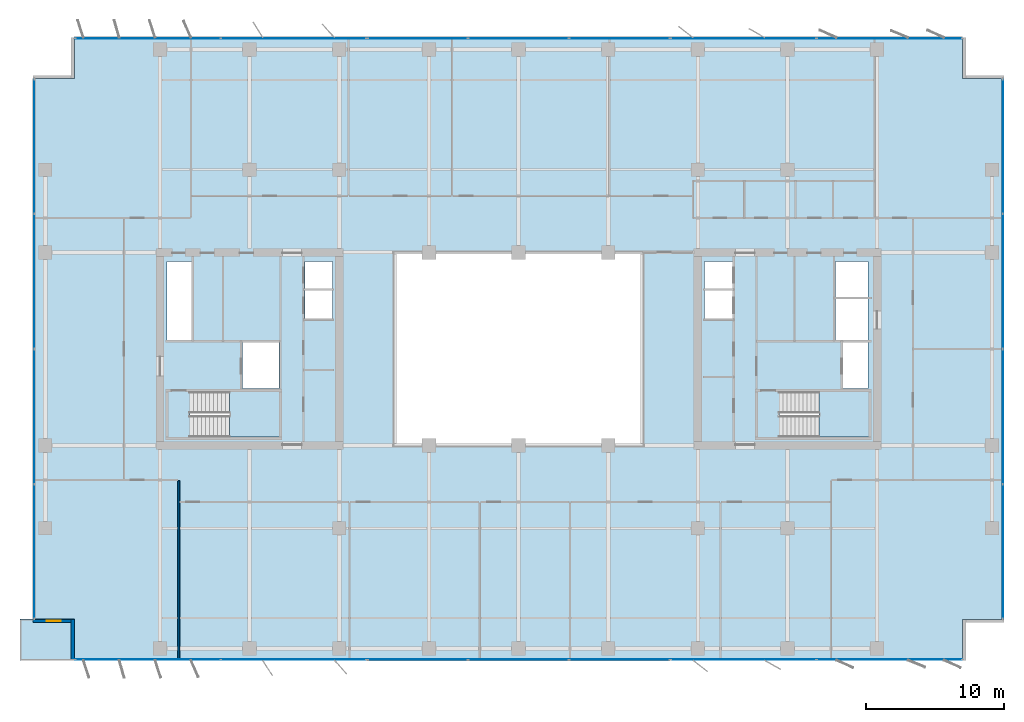
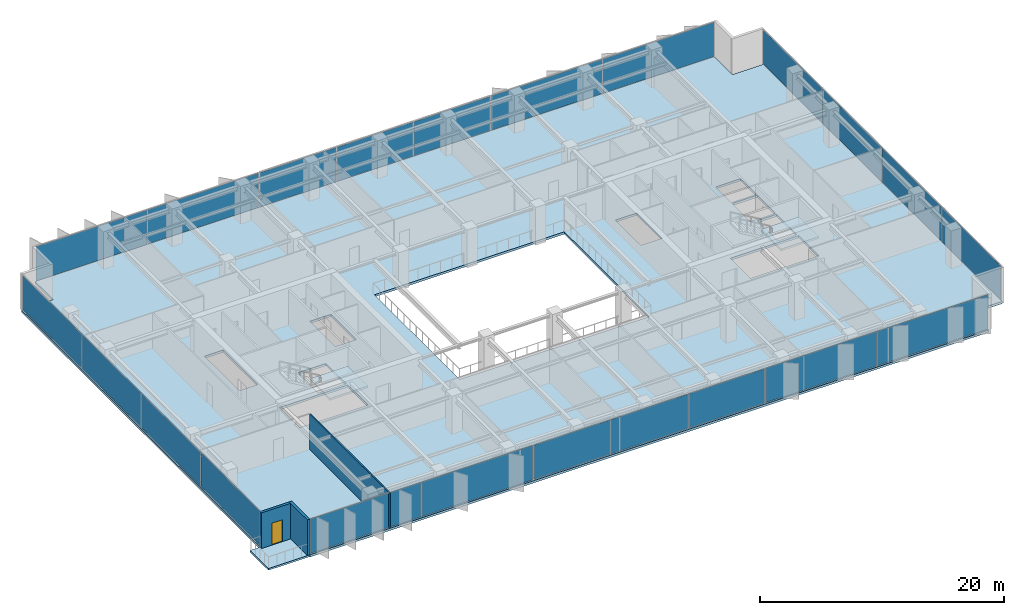
# One storey, part 14 of 22: 22 plates, 4 slabs, 3 walls, 1 door, 1 opening, 10 elements without a shape of their own.
"""IFC4 building model written with IfcOpenShell, lengths in metres."""

import ifcopenshell
import ifcopenshell.guid

model = None  # the IFC model being written
_history = None  # IfcOwnerHistory: only IFC2X3 demands one
_inside = {}  # id of a spatial element -> (the spatial element, [elements in it])
_under = {}  # id of a project, library or spatial element -> (it, [spatial elements below it])
_declared = {}  # id of a project -> (the project, [libraries it declares])
_typed = {}  # id of a type object -> (the type object, [elements of that type])
_made_of = {}  # id of a material, layer set ... -> (it, [elements and type objects made of it])


def new_model(schema):
    """Start an empty IFC model of exactly this schema.

    Asked for "IFC4X3", IfcOpenShell would pick the latest addendum, in which some entities
    have other attributes; the version numbers below select the first issue.
    IFC2X3 requires an IfcOwnerHistory on every rooted entity: one is made here for all.
    """
    global model, _history
    if schema == "IFC4X3":
        model = ifcopenshell.file(schema_version=(4, 3, 0, 0))
    else:
        model = ifcopenshell.file(schema=schema)
    _inside.clear()
    _under.clear()
    _declared.clear()
    _typed.clear()
    _made_of.clear()
    _history = None
    if model.schema == "IFC2X3":
        org = make("IfcOrganization", Name="unknown")
        user = make(
            "IfcPersonAndOrganization",
            ThePerson=make("IfcPerson", FamilyName="unknown"),
            TheOrganization=org,
        )
        app = make(
            "IfcApplication",
            ApplicationDeveloper=org,
            Version="unknown",
            ApplicationFullName="unknown",
            ApplicationIdentifier="unknown",
        )
        _history = make(
            "IfcOwnerHistory",
            OwningUser=user,
            OwningApplication=app,
            ChangeAction="ADDED",
            CreationDate=0,
        )
    return model


def make(cls, **values):
    """One entity of the class cls with the attributes given. An attribute that is None is left unset."""
    return model.create_entity(
        cls, **{name: value for name, value in values.items() if value is not None}
    )


def rooted(cls, **values):
    """An entity with a GlobalId (a new one), such as an element, a storey or a relation."""
    return make(cls, GlobalId=ifcopenshell.guid.new(), OwnerHistory=_history, **values)


def si_unit(unit_type, name, prefix=None):
    """IfcSIUnit, for example si_unit("LENGTHUNIT", "METRE", prefix="MILLI")."""
    return make("IfcSIUnit", UnitType=unit_type, Prefix=prefix, Name=name)


def assignment(units):
    """IfcUnitAssignment: the units of a project."""
    return None if units is None else make("IfcUnitAssignment", Units=units)


def point(xyz):
    """IfcCartesianPoint."""
    return None if xyz is None else make("IfcCartesianPoint", Coordinates=xyz)


def direction(xyz):
    """IfcDirection."""
    return None if xyz is None else make("IfcDirection", DirectionRatios=xyz)


def frame(location, z_axis=None, x_axis=None):
    """IfcAxis2Placement3D, a coordinate frame: its origin and axes. An axis left out is left unset."""
    return make(
        "IfcAxis2Placement3D",
        Location=point(location),
        Axis=direction(z_axis),
        RefDirection=direction(x_axis),
    )


def frame_2d(location, x_axis=None):
    """IfcAxis2Placement2D, a coordinate frame in the plane: its origin and x axis."""
    return make(
        "IfcAxis2Placement2D", Location=point(location), RefDirection=direction(x_axis)
    )


def origin():
    """The frame at (0, 0, 0) with its axes left unset."""
    return frame((0.0, 0.0, 0.0))


def origin_2d():
    """The frame at (0, 0) in the plane with its x axis left unset."""
    return frame_2d((0.0, 0.0))


def place(relative_to, where):
    """IfcLocalPlacement: puts the frame where relative to a parent placement (None: the world)."""
    return make(
        "IfcLocalPlacement", PlacementRelTo=relative_to, RelativePlacement=where
    )


def context(
    kind, dimensions, precision=None, world=None, true_north=None, identifier=None
):
    """IfcGeometricRepresentationContext, for example the 3D "Model" context."""
    return make(
        "IfcGeometricRepresentationContext",
        ContextIdentifier=identifier,
        ContextType=kind,
        CoordinateSpaceDimension=dimensions,
        Precision=precision,
        WorldCoordinateSystem=world,
        TrueNorth=true_north,
    )


def subcontext(parent, identifier, kind, view, scale=None):
    """IfcGeometricRepresentationSubContext, for example "Body" below "Model"."""
    return make(
        "IfcGeometricRepresentationSubContext",
        ContextIdentifier=identifier,
        ContextType=kind,
        ParentContext=parent,
        TargetScale=scale,
        TargetView=view,
    )


def project(units=None, contexts=None):
    """IfcProject with its units and contexts."""
    return rooted(
        "IfcProject",
        Name="project",
        RepresentationContexts=contexts,
        UnitsInContext=assignment(units),
    )


def spatial(cls, under=None, at=None, **own):
    """A site, building, storey or space (cls), placed at a placement, below another one or the project."""
    s = rooted(cls, ObjectPlacement=at, **own)
    if under is not None:
        _under.setdefault(under.id(), (under, []))[1].append(s)
    return s


def polyline(points):
    """IfcPolyline through the points."""
    return make("IfcPolyline", Points=[point(p) for p in points])


def profile(cls, at=None, kind="AREA", **sizes):
    """A parametric profile (cls). Its sizes go by their IFC names, for example OverallWidth=200.0."""
    return make(cls, ProfileType=kind, Position=at, **sizes)


def rectangle(**sizes):
    """IfcRectangleProfileDef."""
    return profile("IfcRectangleProfileDef", **sizes)


def outline(outer, holes=None, kind="AREA"):
    """IfcArbitraryClosedProfileDef: a profile drawn as a closed curve; with holes, ...WithVoids."""
    if holes is None:
        return make("IfcArbitraryClosedProfileDef", ProfileType=kind, OuterCurve=outer)
    return make(
        "IfcArbitraryProfileDefWithVoids",
        ProfileType=kind,
        OuterCurve=outer,
        InnerCurves=holes,
    )


def extrude(swept, where, along, depth):
    """IfcExtrudedAreaSolid: the profile swept, set in the frame where, extruded along a direction by depth."""
    return make(
        "IfcExtrudedAreaSolid",
        SweptArea=swept,
        Position=where,
        ExtrudedDirection=direction(along),
        Depth=depth,
    )


def shape(context_of_items, identifier, shape_type, items):
    """IfcShapeRepresentation: the items that make up one representation, for example the "Body"."""
    return make(
        "IfcShapeRepresentation",
        ContextOfItems=context_of_items,
        RepresentationIdentifier=identifier,
        RepresentationType=shape_type,
        Items=items,
    )


def material(Name=None, Category=None):
    """IfcMaterial."""
    return make("IfcMaterial", Name=Name, Category=Category)


def layer(
    of_material, thickness, ventilated=None, Name=None, Category=None, Priority=None
):
    """IfcMaterialLayer: one layer of a wall or slab, of a material (None: an air gap)."""
    return make(
        "IfcMaterialLayer",
        Material=of_material,
        LayerThickness=thickness,
        IsVentilated=ventilated,
        Name=Name,
        Category=Category,
        Priority=Priority,
    )


def layer_set(layers, Name=None):
    """IfcMaterialLayerSet."""
    return make("IfcMaterialLayerSet", MaterialLayers=layers, LayerSetName=Name)


def made_of(thing, what):
    """Note that an element or type object is made of a material, layer set ...; save() writes the relation."""
    if what is not None:
        _made_of.setdefault(what.id(), (what, []))[1].append(thing)
    return thing


def type_object(cls, material=None, **own):
    """A type object (cls), such as IfcWallType, which elements share."""
    return made_of(rooted(cls, **own), material)


def element(
    cls,
    number,
    at=None,
    inside=None,
    cuts=None,
    type_object=None,
    material=None,
    context=None,
    identifier="Body",
    shape_type=None,
    held_by="IfcProductDefinitionShape",
    body=None,
    shapes=None,
    **own,
):
    """One element of the class cls, such as IfcWall. Its Tag is "e" and its number.

    at: its placement. inside: the storey or other place that contains it. cuts: it is an
    opening in that element (IfcRelVoidsElement). A single representation is given by context,
    identifier, shape_type and body (its items); several are given by shapes. held_by: the class
    of the entity that holds the representations. save() writes the other relations.
    """
    e = rooted(cls, Tag="e%d" % number, ObjectPlacement=at, **own)
    if body is not None:
        shapes = [shape(context, identifier, shape_type, body)]
    if shapes is not None:
        e.Representation = make(held_by, Representations=shapes)
    if inside is not None:
        _inside.setdefault(inside.id(), (inside, []))[1].append(e)
    if cuts is not None:
        rooted(
            "IfcRelVoidsElement", RelatingBuildingElement=cuts, RelatedOpeningElement=e
        )
    if type_object is not None:
        _typed.setdefault(type_object.id(), (type_object, []))[1].append(e)
    return made_of(e, material)


def fill(opening, filler):
    """IfcRelFillsElement: the door or window that sits in an opening."""
    return rooted(
        "IfcRelFillsElement",
        RelatingOpeningElement=opening,
        RelatedBuildingElement=filler,
    )


def aggregate(whole, parts):
    """IfcRelAggregates: a whole, such as a stair, and the parts it consists of."""
    return rooted("IfcRelAggregates", RelatingObject=whole, RelatedObjects=parts)


def save(model, path):
    """Write the relations noted so far, then the file.

    IfcRelAggregates (storeys below a building ...), IfcRelContainedInSpatialStructure (elements
    in a storey), IfcRelDefinesByType, IfcRelAssociatesMaterial and IfcRelDeclares: one each for
    every whole, place, type object, material and project.
    """
    for whole, parts in _under.values():
        aggregate(whole, parts)
    for where, things in _inside.values():
        rooted(
            "IfcRelContainedInSpatialStructure",
            RelatedElements=things,
            RelatingStructure=where,
        )
    for kind, things in _typed.values():
        rooted("IfcRelDefinesByType", RelatedObjects=things, RelatingType=kind)
    for what, things in _made_of.values():
        rooted("IfcRelAssociatesMaterial", RelatedObjects=things, RelatingMaterial=what)
    for by, libraries in _declared.values():
        rooted("IfcRelDeclares", RelatingContext=by, RelatedDefinitions=libraries)
    model.write(path)


model = new_model("IFC4")

# Units and contexts
model_context = context("Model", 3, precision=1e-05, world=origin(), true_north=direction((0.0, 1.0)))
body_context = subcontext(model_context, "Body", "Model", "MODEL_VIEW")
ifc_project = project(units=[si_unit("LENGTHUNIT", "METRE"), si_unit("AREAUNIT", "SQUARE_METRE"), si_unit("VOLUMEUNIT", "CUBIC_METRE"), si_unit("PLANEANGLEUNIT", "RADIAN"), si_unit("MASSUNIT", "GRAM", prefix="KILO")], contexts=[model_context])

# Site, building, storey
site_placement = place(None, origin())
site = spatial("IfcSite", under=ifc_project, at=site_placement, CompositionType="ELEMENT")
building_placement = place(site_placement, origin())
building = spatial("IfcBuilding", under=site, at=building_placement, Name="Putna Gate Headquarters", CompositionType="ELEMENT")
storey_placement = place(building_placement, frame((0.0, 0.0, 167.0)))
storey = spatial("IfcBuildingStorey", under=building, at=storey_placement, Name="L41", CompositionType="ELEMENT", Elevation=167.0)

# Stair, slab
ifc_material_1 = material(Name="Concrete C40/50", Category="concrete")
stair_type_1 = type_object("IfcStairType", Name="STAIR-ST1", PredefinedType="HALF_TURN_STAIR", material=ifc_material_1)
stair_1_placement = place(storey_placement, origin())
stair_1 = element("IfcStair", 1, at=stair_1_placement, inside=storey, type_object=stair_type_1, Name="L41 West Core Exit Stair ST1", PredefinedType="HALF_TURN_STAIR")
ifc_layer_1 = layer(ifc_material_1, 0.199951171875)
ifc_layer_set_1 = layer_set([ifc_layer_1], Name="Concrete C40/50")
slab_type_1 = type_object("IfcSlabType", Name="LANDING-ST1", PredefinedType="LANDING", material=ifc_layer_set_1)
slab_1_placement = place(storey_placement, frame((0.0, 0.0, 1.699951171875)))
slab_1 = element("IfcSlab", 2, at=slab_1_placement, type_object=slab_type_1, Name="ST1 landing 1", PredefinedType="LANDING", context=body_context, shape_type="SweptSolid", body=[
    extrude(outline(polyline([(18.050048828125, 19.60009765625), (21.64990234375, 19.60009765625), (21.64990234375, 22.89990234375), (18.050048828125, 22.89990234375), (18.050048828125, 19.60009765625)])), origin(), (0.0, 0.0, 1.0), 0.199951171875),
])
aggregate(stair_1, [slab_1])

stair_type_2 = type_object("IfcStairType", Name="STAIR-ST2", PredefinedType="HALF_TURN_STAIR", material=ifc_material_1)
stair_2_placement = place(storey_placement, origin())
stair_2 = element("IfcStair", 3, at=stair_2_placement, inside=storey, type_object=stair_type_2, Name="L41 East Core Exit Stair ST2", PredefinedType="HALF_TURN_STAIR")
ifc_layer_2 = layer(ifc_material_1, 0.199951171875)
ifc_layer_set_2 = layer_set([ifc_layer_2], Name="Concrete C40/50")
slab_type_2 = type_object("IfcSlabType", Name="LANDING-ST2", PredefinedType="LANDING", material=ifc_layer_set_2)
slab_2_placement = place(storey_placement, frame((0.0, 0.0, 1.699951171875)))
slab_2 = element("IfcSlab", 4, at=slab_2_placement, type_object=slab_type_2, Name="ST2 landing 1", PredefinedType="LANDING", context=body_context, shape_type="SweptSolid", body=[
    extrude(outline(polyline([(60.800048828125, 19.60009765625), (64.39990234375, 19.60009765625), (64.39990234375, 22.89990234375), (60.800048828125, 22.89990234375), (60.800048828125, 19.60009765625)])), origin(), (0.0, 0.0, 1.0), 0.199951171875),
])
aggregate(stair_2, [slab_2])

# Curtain wall, plates
ifc_material_2 = material(Name="Anodised bronze aluminium curtain wall", Category="aluminium")
ifc_layer_3 = layer(ifc_material_2, 0.159912109375)
ifc_layer_set_3 = layer_set([ifc_layer_3], Name="Anodised bronze aluminium curtain wall")
curtain_wall_type_1 = type_object("IfcCurtainWallType", Name="CW-SYS-Z3", PredefinedType="USERDEFINED", material=ifc_layer_set_3)
curtain_wall_1_placement = place(storey_placement, origin())
curtain_wall_1 = element("IfcCurtainWall", 5, at=curtain_wall_1_placement, inside=storey, type_object=curtain_wall_type_1, Name="L41 South West Curtain Wall", ObjectType="STICK CURTAIN WALL", PredefinedType="USERDEFINED")
ifc_material_3 = material(Name="Solar-control triple low-E glass", Category="glass")
ifc_layer_4 = layer(ifc_material_3, 0.028076171875)
ifc_layer_set_4 = layer_set([ifc_layer_4], Name="Solar-control triple low-E glass")
plate_type_1 = type_object("IfcPlateType", Name="PAN-CWP-3", PredefinedType="CURTAIN_PANEL", material=ifc_layer_set_4)
plate_1_placement = place(storey_placement, frame((12.1162109375, 3.47998046875, 0.06005859375), z_axis=(0.0, 0.0, 1.0), x_axis=(1.0, 0.0, 0.0)))
plate_1 = element("IfcPlate", 6, at=plate_1_placement, type_object=plate_type_1, Name="CWS-3 panel 1.1", PredefinedType="CURTAIN_PANEL", context=body_context, shape_type="SweptSolid", body=[
    extrude(rectangle(XDim=10.50244140625, YDim=0.028076171875, at=origin_2d()), origin(), (0.0, 0.0, 1.0), 3.451904296875),
])
plate_2_placement = place(storey_placement, frame((22.683837890625, 3.47998046875, 0.06005859375), z_axis=(0.0, 0.0, 1.0), x_axis=(1.0, 0.0, 0.0)))
plate_2 = element("IfcPlate", 7, at=plate_2_placement, type_object=plate_type_1, Name="CWS-3 panel 2.1", PredefinedType="CURTAIN_PANEL", context=body_context, shape_type="SweptSolid", body=[
    extrude(rectangle(XDim=10.50244140625, YDim=0.028076171875, at=origin_2d()), origin(), (0.0, 0.0, 1.0), 3.451904296875),
])
aggregate(curtain_wall_1, [plate_1, plate_2])

curtain_wall_2_placement = place(storey_placement, origin())
curtain_wall_2 = element("IfcCurtainWall", 8, at=curtain_wall_2_placement, inside=storey, type_object=curtain_wall_type_1, Name="L41 South East Curtain Wall", ObjectType="STICK CURTAIN WALL", PredefinedType="USERDEFINED")
plate_3_placement = place(storey_placement, frame((55.316162109375, 3.47998046875, 0.06005859375), z_axis=(0.0, 0.0, 1.0), x_axis=(1.0, 0.0, 0.0)))
plate_3 = element("IfcPlate", 9, at=plate_3_placement, type_object=plate_type_1, Name="CWS-3 panel 1.1", PredefinedType="CURTAIN_PANEL", context=body_context, shape_type="SweptSolid", body=[
    extrude(rectangle(XDim=10.50244140625, YDim=0.028076171875, at=origin_2d()), origin(), (0.0, 0.0, 1.0), 3.451904296875),
])
plate_4_placement = place(storey_placement, frame((65.8837890625, 3.47998046875, 0.06005859375), z_axis=(0.0, 0.0, 1.0), x_axis=(1.0, 0.0, 0.0)))
plate_4 = element("IfcPlate", 10, at=plate_4_placement, type_object=plate_type_1, Name="CWS-3 panel 2.1", PredefinedType="CURTAIN_PANEL", context=body_context, shape_type="SweptSolid", body=[
    extrude(rectangle(XDim=10.50244140625, YDim=0.028076171875, at=origin_2d()), origin(), (0.0, 0.0, 1.0), 3.451904296875),
])
aggregate(curtain_wall_2, [plate_3, plate_4])

curtain_wall_3_placement = place(storey_placement, origin())
curtain_wall_3 = element("IfcCurtainWall", 11, at=curtain_wall_3_placement, inside=storey, type_object=curtain_wall_type_1, Name="L41 North West Curtain Wall", ObjectType="STICK CURTAIN WALL", PredefinedType="USERDEFINED")
plate_5_placement = place(storey_placement, frame((12.1162109375, 48.52001953125, 0.06005859375), z_axis=(0.0, 0.0, 1.0), x_axis=(1.0, 0.0, 0.0)))
plate_5 = element("IfcPlate", 12, at=plate_5_placement, type_object=plate_type_1, Name="CWS-3 panel 1.1", PredefinedType="CURTAIN_PANEL", context=body_context, shape_type="SweptSolid", body=[
    extrude(rectangle(XDim=10.50244140625, YDim=0.028076171875, at=origin_2d()), origin(), (0.0, 0.0, 1.0), 3.451904296875),
])
plate_6_placement = place(storey_placement, frame((22.683837890625, 48.52001953125, 0.06005859375), z_axis=(0.0, 0.0, 1.0), x_axis=(1.0, 0.0, 0.0)))
plate_6 = element("IfcPlate", 13, at=plate_6_placement, type_object=plate_type_1, Name="CWS-3 panel 2.1", PredefinedType="CURTAIN_PANEL", context=body_context, shape_type="SweptSolid", body=[
    extrude(rectangle(XDim=10.50244140625, YDim=0.028076171875, at=origin_2d()), origin(), (0.0, 0.0, 1.0), 3.451904296875),
])
aggregate(curtain_wall_3, [plate_5, plate_6])

curtain_wall_4_placement = place(storey_placement, origin())
curtain_wall_4 = element("IfcCurtainWall", 14, at=curtain_wall_4_placement, inside=storey, type_object=curtain_wall_type_1, Name="L41 North East Curtain Wall", ObjectType="STICK CURTAIN WALL", PredefinedType="USERDEFINED")
plate_7_placement = place(storey_placement, frame((55.316162109375, 48.52001953125, 0.06005859375), z_axis=(0.0, 0.0, 1.0), x_axis=(1.0, 0.0, 0.0)))
plate_7 = element("IfcPlate", 15, at=plate_7_placement, type_object=plate_type_1, Name="CWS-3 panel 1.1", PredefinedType="CURTAIN_PANEL", context=body_context, shape_type="SweptSolid", body=[
    extrude(rectangle(XDim=10.50244140625, YDim=0.028076171875, at=origin_2d()), origin(), (0.0, 0.0, 1.0), 3.451904296875),
])
plate_8_placement = place(storey_placement, frame((65.8837890625, 48.52001953125, 0.06005859375), z_axis=(0.0, 0.0, 1.0), x_axis=(1.0, 0.0, 0.0)))
plate_8 = element("IfcPlate", 16, at=plate_8_placement, type_object=plate_type_1, Name="CWS-3 panel 2.1", PredefinedType="CURTAIN_PANEL", context=body_context, shape_type="SweptSolid", body=[
    extrude(rectangle(XDim=10.50244140625, YDim=0.028076171875, at=origin_2d()), origin(), (0.0, 0.0, 1.0), 3.451904296875),
])
aggregate(curtain_wall_4, [plate_7, plate_8])

curtain_wall_5_placement = place(storey_placement, origin())
curtain_wall_5 = element("IfcCurtainWall", 17, at=curtain_wall_5_placement, inside=storey, type_object=curtain_wall_type_1, Name="L41 West Curtain Wall", ObjectType="STICK CURTAIN WALL", PredefinedType="USERDEFINED")
plate_9_placement = place(storey_placement, frame((3.8798828125, 11.316162109375, 0.06005859375), z_axis=(0.0, 0.0, 1.0), x_axis=(0.0, 1.0, 0.0)))
plate_9 = element("IfcPlate", 18, at=plate_9_placement, type_object=plate_type_1, Name="CWS-3 panel 1.1", PredefinedType="CURTAIN_PANEL", context=body_context, shape_type="SweptSolid", body=[
    extrude(rectangle(XDim=9.702392578125, YDim=0.028076171875, at=origin_2d()), origin(), (0.0, 0.0, 1.0), 3.451904296875),
])
plate_10_placement = place(storey_placement, frame((3.8798828125, 21.10009765625, 0.06005859375), z_axis=(0.0, 0.0, 1.0), x_axis=(0.0, 1.0, 0.0)))
plate_10 = element("IfcPlate", 19, at=plate_10_placement, type_object=plate_type_1, Name="CWS-3 panel 2.1", PredefinedType="CURTAIN_PANEL", context=body_context, shape_type="SweptSolid", body=[
    extrude(rectangle(XDim=9.735107421875, YDim=0.028076171875, at=origin_2d()), origin(), (0.0, 0.0, 1.0), 3.451904296875),
])
plate_11_placement = place(storey_placement, frame((3.8798828125, 30.89990234375, 0.06005859375), z_axis=(0.0, 0.0, 1.0), x_axis=(0.0, 1.0, 0.0)))
plate_11 = element("IfcPlate", 20, at=plate_11_placement, type_object=plate_type_1, Name="CWS-3 panel 3.1", PredefinedType="CURTAIN_PANEL", context=body_context, shape_type="SweptSolid", body=[
    extrude(rectangle(XDim=9.735107421875, YDim=0.028076171875, at=origin_2d()), origin(), (0.0, 0.0, 1.0), 3.451904296875),
])
plate_12_placement = place(storey_placement, frame((3.8798828125, 40.683837890625, 0.06005859375), z_axis=(0.0, 0.0, 1.0), x_axis=(0.0, 1.0, 0.0)))
plate_12 = element("IfcPlate", 21, at=plate_12_placement, type_object=plate_type_1, Name="CWS-3 panel 4.1", PredefinedType="CURTAIN_PANEL", context=body_context, shape_type="SweptSolid", body=[
    extrude(rectangle(XDim=9.702392578125, YDim=0.028076171875, at=origin_2d()), origin(), (0.0, 0.0, 1.0), 3.451904296875),
])
aggregate(curtain_wall_5, [plate_9, plate_10, plate_11, plate_12])

curtain_wall_6_placement = place(storey_placement, origin())
curtain_wall_6 = element("IfcCurtainWall", 22, at=curtain_wall_6_placement, inside=storey, type_object=curtain_wall_type_1, Name="L41 East Curtain Wall", ObjectType="STICK CURTAIN WALL", PredefinedType="USERDEFINED")
plate_13_placement = place(storey_placement, frame((74.1201171875, 11.316162109375, 0.06005859375), z_axis=(0.0, 0.0, 1.0), x_axis=(0.0, 1.0, 0.0)))
plate_13 = element("IfcPlate", 23, at=plate_13_placement, type_object=plate_type_1, Name="CWS-3 panel 1.1", PredefinedType="CURTAIN_PANEL", context=body_context, shape_type="SweptSolid", body=[
    extrude(rectangle(XDim=9.702392578125, YDim=0.028076171875, at=origin_2d()), origin(), (0.0, 0.0, 1.0), 3.451904296875),
])
plate_14_placement = place(storey_placement, frame((74.1201171875, 21.10009765625, 0.06005859375), z_axis=(0.0, 0.0, 1.0), x_axis=(0.0, 1.0, 0.0)))
plate_14 = element("IfcPlate", 24, at=plate_14_placement, type_object=plate_type_1, Name="CWS-3 panel 2.1", PredefinedType="CURTAIN_PANEL", context=body_context, shape_type="SweptSolid", body=[
    extrude(rectangle(XDim=9.735107421875, YDim=0.028076171875, at=origin_2d()), origin(), (0.0, 0.0, 1.0), 3.451904296875),
])
plate_15_placement = place(storey_placement, frame((74.1201171875, 30.89990234375, 0.06005859375), z_axis=(0.0, 0.0, 1.0), x_axis=(0.0, 1.0, 0.0)))
plate_15 = element("IfcPlate", 25, at=plate_15_placement, type_object=plate_type_1, Name="CWS-3 panel 3.1", PredefinedType="CURTAIN_PANEL", context=body_context, shape_type="SweptSolid", body=[
    extrude(rectangle(XDim=9.735107421875, YDim=0.028076171875, at=origin_2d()), origin(), (0.0, 0.0, 1.0), 3.451904296875),
])
plate_16_placement = place(storey_placement, frame((74.1201171875, 40.683837890625, 0.06005859375), z_axis=(0.0, 0.0, 1.0), x_axis=(0.0, 1.0, 0.0)))
plate_16 = element("IfcPlate", 26, at=plate_16_placement, type_object=plate_type_1, Name="CWS-3 panel 4.1", PredefinedType="CURTAIN_PANEL", context=body_context, shape_type="SweptSolid", body=[
    extrude(rectangle(XDim=9.702392578125, YDim=0.028076171875, at=origin_2d()), origin(), (0.0, 0.0, 1.0), 3.451904296875),
])
aggregate(curtain_wall_6, [plate_13, plate_14, plate_15, plate_16])

ifc_layer_5 = layer(ifc_material_2, 0.179931640625)
ifc_layer_set_5 = layer_set([ifc_layer_5], Name="Anodised bronze aluminium curtain wall")
curtain_wall_type_2 = type_object("IfcCurtainWallType", Name="CW-SYS-ATR", PredefinedType="USERDEFINED", material=ifc_layer_set_5)
curtain_wall_7_placement = place(storey_placement, origin())
curtain_wall_7 = element("IfcCurtainWall", 27, at=curtain_wall_7_placement, inside=storey, type_object=curtain_wall_type_2, Name="L41 South Atrium Clear Glazing", ObjectType="ATRIUM GLAZING", PredefinedType="USERDEFINED")
ifc_material_4 = material(Name="Clear low-iron triple glazing", Category="glass")
ifc_layer_6 = layer(ifc_material_4, 0.0400390625)
ifc_layer_set_6 = layer_set([ifc_layer_6], Name="Clear low-iron triple glazing")
plate_type_2 = type_object("IfcPlateType", Name="PAN-CWP-AT", PredefinedType="CURTAIN_PANEL", material=ifc_layer_set_6)
plate_17_placement = place(storey_placement, frame((31.68408203125, 3.47998046875, 0.06982421875), z_axis=(0.0, 0.0, 1.0), x_axis=(1.0, 0.0, 0.0)))
plate_17 = element("IfcPlate", 28, at=plate_17_placement, type_object=plate_type_2, Name="CWS-AT panel 1.1", PredefinedType="CURTAIN_PANEL", context=body_context, shape_type="SweptSolid", body=[
    extrude(rectangle(XDim=7.228271484375, YDim=0.0400390625, at=origin_2d()), origin(), (0.0, 0.0, 1.0), 3.431884765625),
])
plate_18_placement = place(storey_placement, frame((39.0, 3.47998046875, 0.06982421875), z_axis=(0.0, 0.0, 1.0), x_axis=(1.0, 0.0, 0.0)))
plate_18 = element("IfcPlate", 29, at=plate_18_placement, type_object=plate_type_2, Name="CWS-AT panel 2.1", PredefinedType="CURTAIN_PANEL", context=body_context, shape_type="SweptSolid", body=[
    extrude(rectangle(XDim=7.263427734375, YDim=0.0400390625, at=origin_2d()), origin(), (0.0, 0.0, 1.0), 3.431884765625),
])
plate_19_placement = place(storey_placement, frame((46.31591796875, 3.47998046875, 0.06982421875), z_axis=(0.0, 0.0, 1.0), x_axis=(1.0, 0.0, 0.0)))
plate_19 = element("IfcPlate", 30, at=plate_19_placement, type_object=plate_type_2, Name="CWS-AT panel 3.1", PredefinedType="CURTAIN_PANEL", context=body_context, shape_type="SweptSolid", body=[
    extrude(rectangle(XDim=7.228271484375, YDim=0.0400390625, at=origin_2d()), origin(), (0.0, 0.0, 1.0), 3.431884765625),
])
aggregate(curtain_wall_7, [plate_17, plate_18, plate_19])

curtain_wall_8_placement = place(storey_placement, origin())
curtain_wall_8 = element("IfcCurtainWall", 31, at=curtain_wall_8_placement, inside=storey, type_object=curtain_wall_type_2, Name="L41 North Atrium Clear Glazing", ObjectType="ATRIUM GLAZING", PredefinedType="USERDEFINED")
plate_20_placement = place(storey_placement, frame((31.68408203125, 48.52001953125, 0.06982421875), z_axis=(0.0, 0.0, 1.0), x_axis=(1.0, 0.0, 0.0)))
plate_20 = element("IfcPlate", 32, at=plate_20_placement, type_object=plate_type_2, Name="CWS-AT panel 1.1", PredefinedType="CURTAIN_PANEL", context=body_context, shape_type="SweptSolid", body=[
    extrude(rectangle(XDim=7.228271484375, YDim=0.0400390625, at=origin_2d()), origin(), (0.0, 0.0, 1.0), 3.431884765625),
])
plate_21_placement = place(storey_placement, frame((39.0, 48.52001953125, 0.06982421875), z_axis=(0.0, 0.0, 1.0), x_axis=(1.0, 0.0, 0.0)))
plate_21 = element("IfcPlate", 33, at=plate_21_placement, type_object=plate_type_2, Name="CWS-AT panel 2.1", PredefinedType="CURTAIN_PANEL", context=body_context, shape_type="SweptSolid", body=[
    extrude(rectangle(XDim=7.263427734375, YDim=0.0400390625, at=origin_2d()), origin(), (0.0, 0.0, 1.0), 3.431884765625),
])
plate_22_placement = place(storey_placement, frame((46.31591796875, 48.52001953125, 0.06982421875), z_axis=(0.0, 0.0, 1.0), x_axis=(1.0, 0.0, 0.0)))
plate_22 = element("IfcPlate", 34, at=plate_22_placement, type_object=plate_type_2, Name="CWS-AT panel 3.1", PredefinedType="CURTAIN_PANEL", context=body_context, shape_type="SweptSolid", body=[
    extrude(rectangle(XDim=7.228271484375, YDim=0.0400390625, at=origin_2d()), origin(), (0.0, 0.0, 1.0), 3.431884765625),
])
aggregate(curtain_wall_8, [plate_20, plate_21, plate_22])

# Slabs
ifc_layer_7 = layer(ifc_material_1, 0.179931640625)
ifc_layer_set_7 = layer_set([ifc_layer_7], Name="Concrete C40/50")
slab_type_3 = type_object("IfcSlabType", Name="SLAB-TERRACE-180", PredefinedType="FLOOR", material=ifc_layer_set_7)
slab_3_placement = place(storey_placement, frame((0.0, 0.0, -0.179931640625)))
element("IfcSlab", 35, at=slab_3_placement, inside=storey, type_object=slab_type_3, Name="L41 Spiral Sky-Garden Terrace Slab (SW)", PredefinedType="FLOOR", context=body_context, shape_type="SweptSolid", body=[
    extrude(outline(polyline([(2.85009765625, 3.39990234375), (6.80810546875, 3.39990234375), (6.80810546875, 6.407958984375), (2.85009765625, 6.407958984375), (2.85009765625, 3.39990234375)])), origin(), (0.0, 0.0, 1.0), 0.179931640625),
])
ifc_layer_8 = layer(ifc_material_1, 0.22802734375)
ifc_layer_set_8 = layer_set([ifc_layer_8], Name="Concrete C40/50")
slab_type_4 = type_object("IfcSlabType", Name="SLAB-Z3-228", PredefinedType="FLOOR", material=ifc_layer_set_8)
slab_4_placement = place(storey_placement, frame((0.0, 0.0, -0.22802734375)))
element("IfcSlab", 36, at=slab_4_placement, inside=storey, type_object=slab_type_4, Name="L41 Composite Floor Slab", PredefinedType="FLOOR", context=body_context, shape_type="SweptSolid", body=[
    extrude(outline(polyline([(6.800048828125, 3.39990234375), (71.199951171875, 3.39990234375), (71.199951171875, 6.39990234375), (74.199951171875, 6.39990234375), (74.199951171875, 45.60009765625), (71.199951171875, 45.60009765625), (71.199951171875, 48.60009765625), (6.800048828125, 48.60009765625), (6.800048828125, 45.60009765625), (3.800048828125, 45.60009765625), (3.800048828125, 6.39990234375), (6.800048828125, 6.39990234375), (6.800048828125, 3.39990234375)]), holes=[polyline([(15.1650390625, 19.60009765625), (21.64990234375, 19.60009765625), (21.64990234375, 22.89990234375), (15.1650390625, 22.89990234375), (15.1650390625, 19.60009765625)]), polyline([(57.9150390625, 19.60009765625), (64.39990234375, 19.60009765625), (64.39990234375, 22.89990234375), (57.9150390625, 22.89990234375), (57.9150390625, 19.60009765625)]), polyline([(13.52001953125, 26.659912109375), (15.280029296875, 26.659912109375), (15.280029296875, 32.35009765625), (13.52001953125, 32.35009765625), (13.52001953125, 26.659912109375)]), polyline([(61.969970703125, 29.780029296875), (64.35009765625, 29.780029296875), (64.35009765625, 32.35009765625), (61.969970703125, 32.35009765625), (61.969970703125, 29.780029296875)]), polyline([(18.97998046875, 23.1201171875), (21.6201171875, 23.1201171875), (21.6201171875, 26.4599609375), (18.97998046875, 26.4599609375), (18.97998046875, 23.1201171875)]), polyline([(62.52001953125, 23.1201171875), (64.35009765625, 23.1201171875), (64.35009765625, 26.4599609375), (62.52001953125, 26.4599609375), (62.52001953125, 23.1201171875)]), polyline([(61.969970703125, 26.659912109375), (64.35009765625, 26.659912109375), (64.35009765625, 29.6201171875), (61.969970703125, 29.6201171875), (61.969970703125, 26.659912109375)]), polyline([(23.5, 28.199951171875), (25.5, 28.199951171875), (25.5, 32.35009765625), (23.5, 32.35009765625), (23.5, 28.199951171875)]), polyline([(52.47998046875, 28.199951171875), (54.5, 28.199951171875), (54.5, 32.35009765625), (52.47998046875, 32.35009765625), (52.47998046875, 28.199951171875)]), polyline([(30.0, 19.0), (48.0, 19.0), (48.0, 33.0), (30.0, 33.0), (30.0, 19.0)])]), origin(), (0.0, 0.0, 1.0), 0.22802734375),
])

# Wall
ifc_material_5 = material(Name="Precast concrete C40/50", Category="concrete")
ifc_layer_9 = layer(ifc_material_5, 0.239990234375)
ifc_layer_set_9 = layer_set([ifc_layer_9], Name="Precast concrete C40/50")
wall_type_1 = type_object("IfcWallType", Name="WALL-EXT-TERR-240", PredefinedType="STANDARD", material=ifc_layer_set_9)
wall_1_placement = place(storey_placement, frame((6.679931640625, 3.39990234375, 0.0), z_axis=(0.0, 0.0, 1.0), x_axis=(0.0, 1.0, 0.0)))
element("IfcWall", 37, at=wall_1_placement, inside=storey, type_object=wall_type_1, Name="L41 Corner Notch Return Wall SW-V", PredefinedType="STANDARD", context=body_context, shape_type="SweptSolid", body=[
    extrude(rectangle(XDim=3.0, YDim=0.239990234375, at=frame_2d((1.5, 0.0))), origin(), (0.0, 0.0, 1.0), 3.572021484375),
])

# Wall, opening, door
wall_2_placement = place(storey_placement, frame((6.800048828125, 6.280029296875, 0.0), z_axis=(0.0, 0.0, 1.0), x_axis=(-1.0, 0.0, 0.0)))
wall_2 = element("IfcWall", 38, at=wall_2_placement, inside=storey, type_object=wall_type_1, Name="L41 Corner Notch Return Wall SW-H", PredefinedType="STANDARD", context=body_context, shape_type="SweptSolid", body=[
    extrude(rectangle(XDim=3.0, YDim=0.239990234375, at=frame_2d((1.5, 0.0))), origin(), (0.0, 0.0, 1.0), 3.572021484375),
])
opening_placement = place(wall_2_placement, frame((1.0, 0.0, 0.0)))
opening = element("IfcOpeningElement", 39, at=opening_placement, cuts=wall_2, Name="Opening TRD-1", PredefinedType="OPENING", context=body_context, shape_type="SweptSolid", body=[
    extrude(rectangle(XDim=1.0, YDim=2.199951171875, at=frame_2d((0.5, 1.10009765625))), frame((0.0, 0.1298828125, 0.0), z_axis=(0.0, -1.0, 0.0), x_axis=(1.0, 0.0, 0.0)), (0.0, 0.0, 1.0), 0.260009765625),
])
ifc_material_6 = material(Name="Thermally broken bronze glazed terrace door")
door_type = type_object("IfcDoorType", Name="DOOR-TERR-EXT-1000", OperationType="NOTDEFINED", PredefinedType="DOOR", material=ifc_material_6)
door_placement = place(opening_placement, origin())
door = element("IfcDoor", 40, at=door_placement, inside=storey, type_object=door_type, Name="L41 Spiral Sky Terrace Door SW", OperationType="SINGLE_SWING_LEFT", OverallHeight=2.199951171875, OverallWidth=1.0, PredefinedType="DOOR", context=body_context, shape_type="SweptSolid", body=[
    extrude(rectangle(XDim=1.0, YDim=2.199951171875, at=frame_2d((0.5, 1.10009765625))), frame((0.0, 0.02490234375, 0.0), z_axis=(0.0, -1.0, 0.0), x_axis=(1.0, 0.0, 0.0)), (0.0, 0.0, 1.0), 0.050048828125),
])
fill(opening, door)

# Wall
ifc_material_7 = material(Name="Acoustic gypsum board on metal stud")
ifc_layer_10 = layer(ifc_material_7, 0.1201171875)
ifc_layer_set_10 = layer_set([ifc_layer_10], Name="Acoustic gypsum board on metal stud")
wall_type_2 = type_object("IfcWallType", Name="WALL-PART-120", PredefinedType="PARTITIONING", material=ifc_layer_set_10)
wall_3_placement = place(storey_placement, frame((14.35986328125, 3.419921875, 0.0), z_axis=(0.0, 0.0, 1.0), x_axis=(0.0, 1.0, 0.0)))
element("IfcWall", 41, at=wall_3_placement, inside=storey, type_object=wall_type_2, Name="L41 Interior Wall PART-L41-SB-DIV-01", PredefinedType="PARTITIONING", context=body_context, shape_type="SweptSolid", body=[
    extrude(rectangle(XDim=13.02001953125, YDim=0.1201171875, at=frame_2d((6.510009765625, 0.0))), origin(), (0.0, 0.0, 1.0), 3.572021484375),
])

save(model, "model.ifc")
